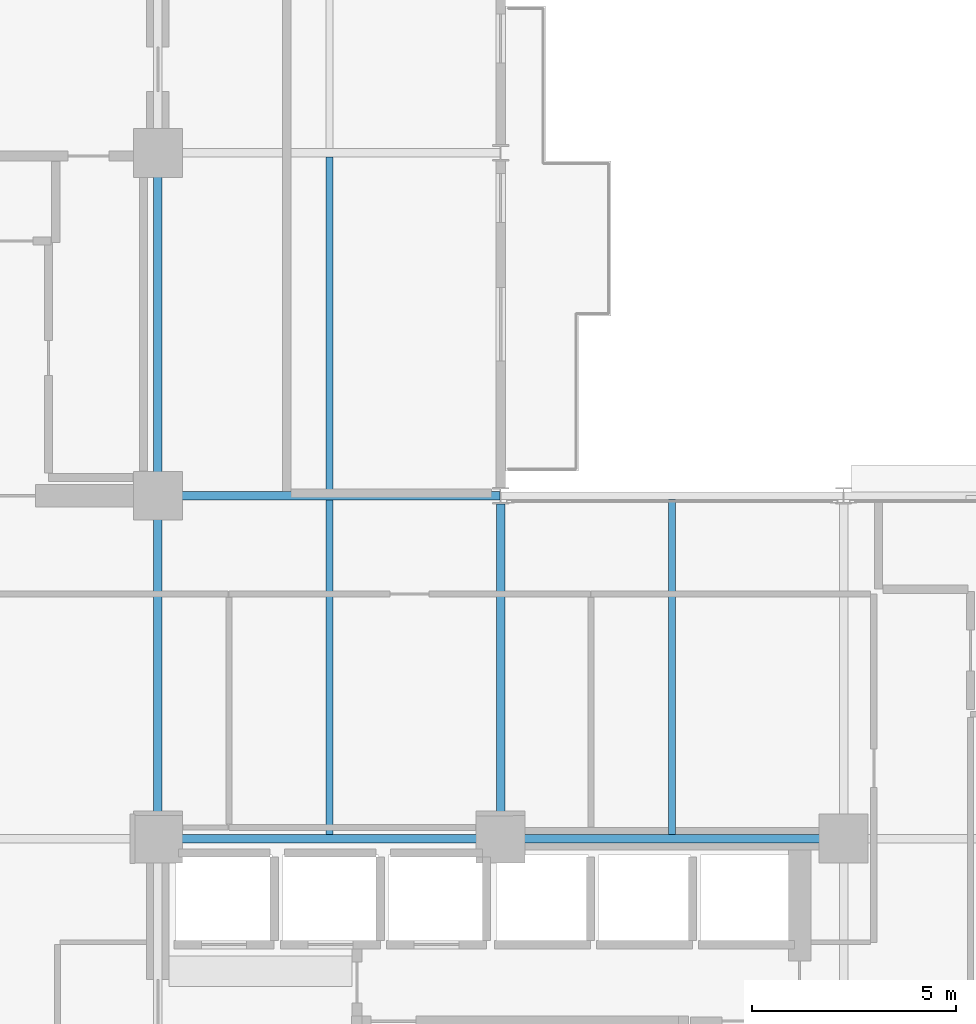
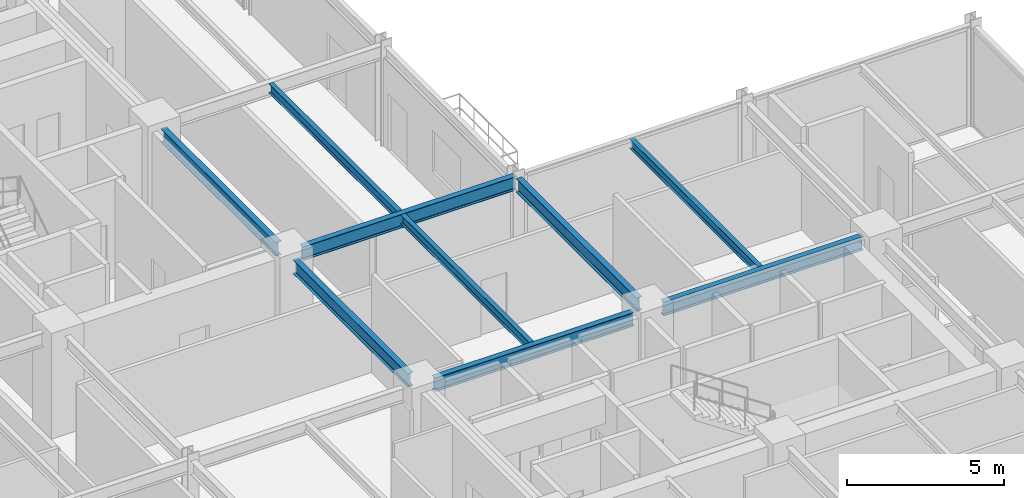
# One storey, part 11 of 30: 9 beams.
"""IFC4 building model written with IfcOpenShell, lengths in metres."""

from ifc_helpers import new_model, si_unit, direction, frame, origin, origin_2d, place, context, subcontext, project, spatial, i_section, extrude, material, material_profile, profile_set, type_object, element, save


model = new_model("IFC4")

# Units and contexts
model_context = context("Model", 3, precision=1e-05, world=origin(), true_north=direction((0.0, 1.0)))
body_context = subcontext(model_context, "Body", "Model", "MODEL_VIEW")
ifc_project = project(units=[si_unit("LENGTHUNIT", "METRE"), si_unit("AREAUNIT", "SQUARE_METRE"), si_unit("VOLUMEUNIT", "CUBIC_METRE"), si_unit("PLANEANGLEUNIT", "RADIAN"), si_unit("MASSUNIT", "GRAM", prefix="KILO")], contexts=[model_context])

# Site, building, storey
site_placement = place(None, origin())
site = spatial("IfcSite", under=ifc_project, at=site_placement, CompositionType="ELEMENT")
building_placement = place(site_placement, origin())
building = spatial("IfcBuilding", under=site, at=building_placement, Name="Nerrivon Quay Data Exchange", CompositionType="ELEMENT")
storey_placement = place(building_placement, frame((0.0, 0.0, 141.800048828125)))
storey = spatial("IfcBuildingStorey", under=building, at=storey_placement, Name="L33", CompositionType="ELEMENT", Elevation=141.800048828125)

# Beams
ifc_material = material(Name="Steel Grade 350", Category="steel")
ifc_material_profile_1 = material_profile(ifc_material, i_section(OverallWidth=0.208984375, OverallDepth=0.532958984375, WebThickness=0.01025390625, FlangeThickness=0.015625, FilletRadius=0.013916015625, at=origin_2d()), Name="530UB92.4")
ifc_profile_set_1 = profile_set([ifc_material_profile_1], Name="Steel Grade 350")
beam_type_1 = type_object("IfcBeamType", Name="BM-G3-530UB92", PredefinedType="BEAM", material=ifc_profile_set_1)
beam_1_placement = place(storey_placement, frame((17.340087890625, 16.800048828125, 3.558349609375), z_axis=(1.0, 0.0, 0.0), x_axis=(0.0, 1.0, 0.0)))
element("IfcBeam", 1, at=beam_1_placement, inside=storey, type_object=beam_type_1, Name="L33 EW Girder Y=16.8 (16.8..25.2)", PredefinedType="BEAM", context=body_context, shape_type="SweptSolid", body=[
    extrude(i_section(OverallWidth=0.208984375, OverallDepth=0.532958984375, WebThickness=0.01025390625, FlangeThickness=0.015625, FilletRadius=0.013916015625, at=origin_2d()), origin(), (0.0, 0.0, 1.0), 7.31982421875),
])
beam_2_placement = place(storey_placement, frame((25.739990234375, 16.800048828125, 3.558349609375), z_axis=(1.0, 0.0, 0.0), x_axis=(0.0, 1.0, 0.0)))
element("IfcBeam", 2, at=beam_2_placement, inside=storey, type_object=beam_type_1, Name="L33 EW Girder Y=16.8 (25.2..33.6)", PredefinedType="BEAM", context=body_context, shape_type="SweptSolid", body=[
    extrude(i_section(OverallWidth=0.208984375, OverallDepth=0.532958984375, WebThickness=0.01025390625, FlangeThickness=0.015625, FilletRadius=0.013916015625, at=origin_2d()), origin(), (0.0, 0.0, 1.0), 7.320068359375),
])
beam_3_placement = place(storey_placement, frame((17.340087890625, 25.199951171875, 3.558349609375), z_axis=(1.0, 0.0, 0.0), x_axis=(0.0, 1.0, 0.0)))
element("IfcBeam", 3, at=beam_3_placement, inside=storey, type_object=beam_type_1, Name="L33 EW Girder Y=25.2 (16.8..25.2)", PredefinedType="BEAM", context=body_context, shape_type="SweptSolid", body=[
    extrude(i_section(OverallWidth=0.208984375, OverallDepth=0.532958984375, WebThickness=0.01025390625, FlangeThickness=0.015625, FilletRadius=0.013916015625, at=origin_2d()), origin(), (0.0, 0.0, 1.0), 7.847412109375),
])
ifc_material_profile_2 = material_profile(ifc_material, i_section(OverallWidth=0.208984375, OverallDepth=0.528076171875, WebThickness=0.009521484375, FlangeThickness=0.01318359375, FilletRadius=0.013916015625, at=origin_2d()), Name="530UB82.0")
ifc_profile_set_2 = profile_set([ifc_material_profile_2], Name="Steel Grade 350")
beam_type_2 = type_object("IfcBeamType", Name="BM-G4-530UB82", PredefinedType="BEAM", material=ifc_profile_set_2)
beam_4_placement = place(storey_placement, frame((16.800048828125, 17.340087890625, 3.56103515625), z_axis=(0.0, 1.0, 0.0), x_axis=(-1.0, 0.0, 0.0)))
element("IfcBeam", 4, at=beam_4_placement, inside=storey, type_object=beam_type_2, Name="L33 NS Girder X=16.8 (16.8..25.2)", PredefinedType="BEAM", context=body_context, shape_type="SweptSolid", body=[
    extrude(i_section(OverallWidth=0.208984375, OverallDepth=0.528076171875, WebThickness=0.009521484375, FlangeThickness=0.01318359375, FilletRadius=0.013916015625, at=origin_2d()), origin(), (0.0, 0.0, 1.0), 7.31982421875),
])
beam_5_placement = place(storey_placement, frame((16.800048828125, 25.739990234375, 3.56103515625), z_axis=(0.0, 1.0, 0.0), x_axis=(-1.0, 0.0, 0.0)))
element("IfcBeam", 5, at=beam_5_placement, inside=storey, type_object=beam_type_2, Name="L33 NS Girder X=16.8 (25.2..33.6)", PredefinedType="BEAM", context=body_context, shape_type="SweptSolid", body=[
    extrude(i_section(OverallWidth=0.208984375, OverallDepth=0.528076171875, WebThickness=0.009521484375, FlangeThickness=0.01318359375, FilletRadius=0.013916015625, at=origin_2d()), origin(), (0.0, 0.0, 1.0), 7.320068359375),
])
beam_6_placement = place(storey_placement, frame((25.199951171875, 17.340087890625, 3.56103515625), z_axis=(0.0, 1.0, 0.0), x_axis=(-1.0, 0.0, 0.0)))
element("IfcBeam", 6, at=beam_6_placement, inside=storey, type_object=beam_type_2, Name="L33 NS Girder X=25.2 (16.8..25.2)", PredefinedType="BEAM", context=body_context, shape_type="SweptSolid", body=[
    extrude(i_section(OverallWidth=0.208984375, OverallDepth=0.528076171875, WebThickness=0.009521484375, FlangeThickness=0.01318359375, FilletRadius=0.013916015625, at=origin_2d()), origin(), (0.0, 0.0, 1.0), 7.659912109375),
])
ifc_material_profile_3 = material_profile(ifc_material, i_section(OverallWidth=0.1708984375, OverallDepth=0.35595703125, WebThickness=0.00732421875, FlangeThickness=0.011474609375, FilletRadius=0.011474609375, at=origin_2d()), Name="360UB50.7")
ifc_profile_set_3 = profile_set([ifc_material_profile_3], Name="Steel Grade 350")
beam_type_3 = type_object("IfcBeamType", Name="BM-J4-360UB51", PredefinedType="JOIST", material=ifc_profile_set_3)
beam_7_placement = place(storey_placement, frame((21.0, 16.904541015625, 3.64697265625), z_axis=(0.0, 1.0, 0.0), x_axis=(-1.0, 0.0, 0.0)))
element("IfcBeam", 7, at=beam_7_placement, inside=storey, type_object=beam_type_3, Name="L33 Secondary Joist X=21.0 (16.8..25.2)", PredefinedType="JOIST", context=body_context, shape_type="SweptSolid", body=[
    extrude(i_section(OverallWidth=0.1708984375, OverallDepth=0.35595703125, WebThickness=0.00732421875, FlangeThickness=0.011474609375, FilletRadius=0.011474609375, at=origin_2d()), origin(), (0.0, 0.0, 1.0), 8.19091796875),
])
beam_8_placement = place(storey_placement, frame((21.0, 25.304443359375, 3.64697265625), z_axis=(0.0, 1.0, 0.0), x_axis=(-1.0, 0.0, 0.0)))
element("IfcBeam", 8, at=beam_8_placement, inside=storey, type_object=beam_type_3, Name="L33 Secondary Joist X=21.0 (25.2..33.6)", PredefinedType="JOIST", context=body_context, shape_type="SweptSolid", body=[
    extrude(i_section(OverallWidth=0.1708984375, OverallDepth=0.35595703125, WebThickness=0.00732421875, FlangeThickness=0.011474609375, FilletRadius=0.011474609375, at=origin_2d()), origin(), (0.0, 0.0, 1.0), 8.191162109375),
])
beam_9_placement = place(storey_placement, frame((29.39990234375, 16.904541015625, 3.64697265625), z_axis=(0.0, 1.0, 0.0), x_axis=(-1.0, 0.0, 0.0)))
element("IfcBeam", 9, at=beam_9_placement, inside=storey, type_object=beam_type_3, Name="L33 Secondary Joist X=29.4 (16.8..25.2)", PredefinedType="JOIST", context=body_context, shape_type="SweptSolid", body=[
    extrude(i_section(OverallWidth=0.1708984375, OverallDepth=0.35595703125, WebThickness=0.00732421875, FlangeThickness=0.011474609375, FilletRadius=0.011474609375, at=origin_2d()), origin(), (0.0, 0.0, 1.0), 8.20654296875),
])

save(model, "model.ifc")
